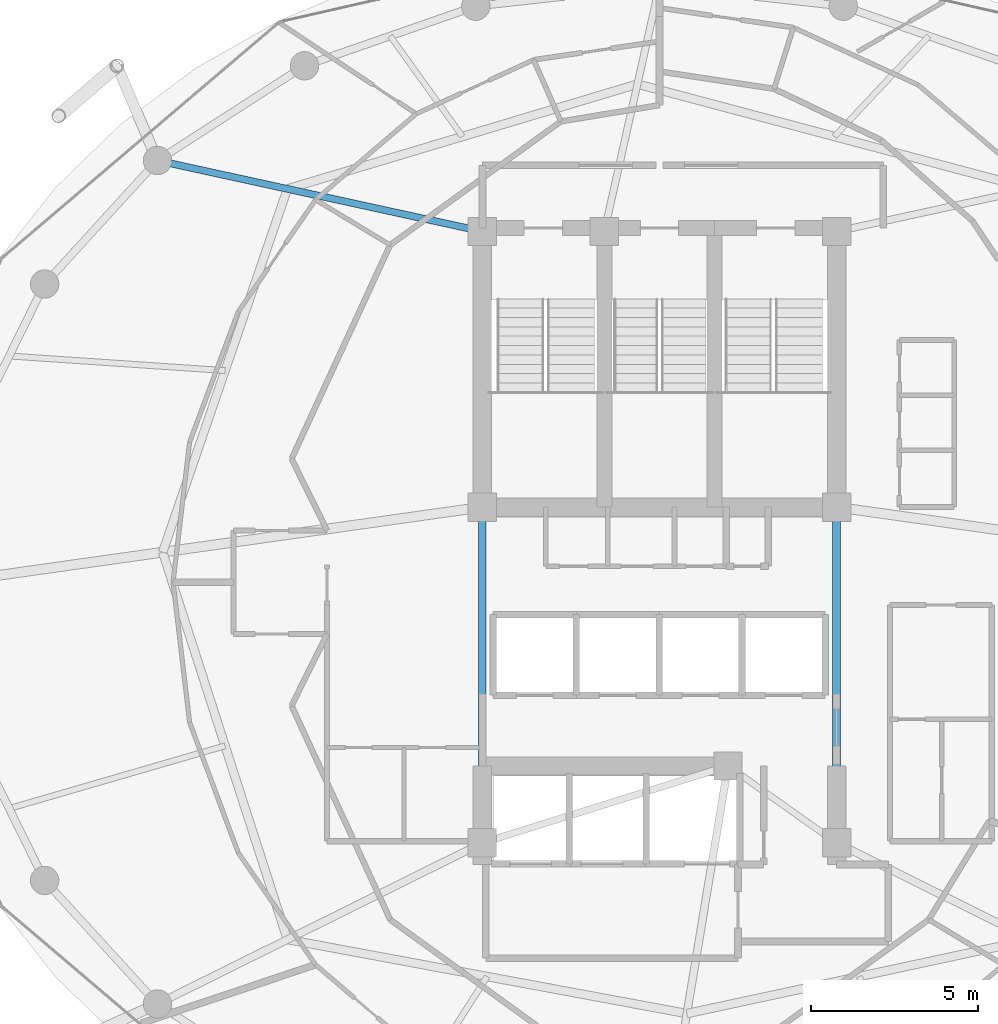
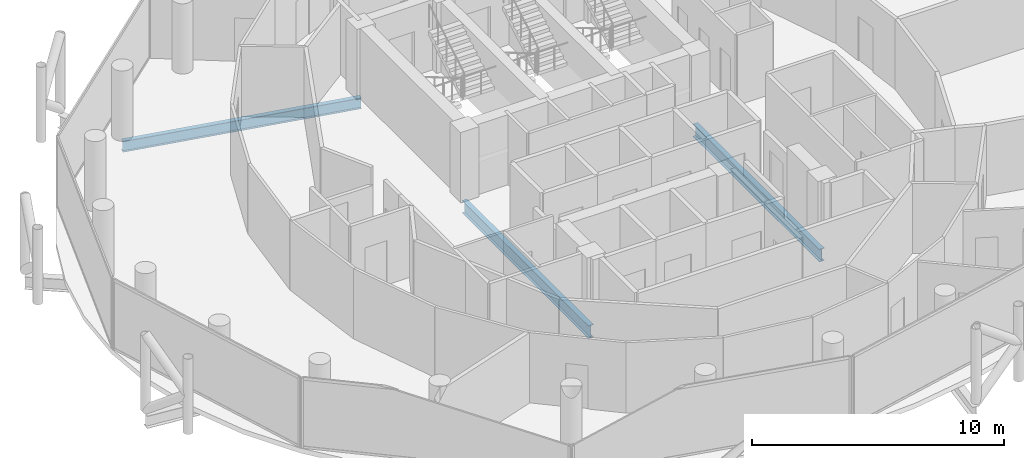
# One storey, part 10 of 27: 3 beams.
"""IFC4 building model written with IfcOpenShell, lengths in metres."""

from ifc_helpers import new_model, si_unit, direction, frame, origin, origin_2d, place, context, subcontext, project, spatial, i_section, extrude, material, material_profile, profile_set, type_object, element, save


model = new_model("IFC4")

# Units and contexts
model_context = context("Model", 3, precision=1e-05, world=origin(), true_north=direction((0.0, 1.0)))
body_context = subcontext(model_context, "Body", "Model", "MODEL_VIEW")
ifc_project = project(units=[si_unit("LENGTHUNIT", "METRE"), si_unit("AREAUNIT", "SQUARE_METRE"), si_unit("VOLUMEUNIT", "CUBIC_METRE"), si_unit("PLANEANGLEUNIT", "RADIAN"), si_unit("MASSUNIT", "GRAM", prefix="KILO")], contexts=[model_context])

# Site, building, storey
site_placement = place(None, origin())
site = spatial("IfcSite", under=ifc_project, at=site_placement, CompositionType="ELEMENT")
building_placement = place(site_placement, origin())
building = spatial("IfcBuilding", under=site, at=building_placement, Name="Nuhasar Tower", CompositionType="ELEMENT")
storey_placement = place(building_placement, frame((0.0, 0.0, 237.35009765625)))
storey = spatial("IfcBuildingStorey", under=building, at=storey_placement, Name="L58", CompositionType="ELEMENT", Elevation=237.35009765625)

# Beams
ifc_material = material(Name="Steel S355", Category="steel")
ifc_material_profile_1 = material_profile(ifc_material, i_section(OverallWidth=0.208984375, OverallDepth=0.528076171875, WebThickness=0.009521484375, FlangeThickness=0.01318359375, at=origin_2d()), Name="W21X55")
ifc_profile_set_1 = profile_set([ifc_material_profile_1], Name="Steel S355")
beam_type_1 = type_object("IfcBeamType", Name="BM-RAD-W21X55", PredefinedType="BEAM", material=ifc_profile_set_1)
beam_placement = place(storey_placement, frame((33.699951171875, 37.300048828125, -0.504150390625), z_axis=(-0.977014275474, 0.213173885644, 0.0), x_axis=(-0.213173885644, -0.977014275474, 0.0)))
element("IfcBeam", 1, at=beam_placement, inside=storey, type_object=beam_type_1, Name="L58 Radial Floor Girder 07", PredefinedType="BEAM", context=body_context, shape_type="SweptSolid", body=[
    extrude(i_section(OverallWidth=0.208984375, OverallDepth=0.528076171875, WebThickness=0.009521484375, FlangeThickness=0.01318359375, at=origin_2d()), origin(), (0.0, 0.0, 1.0), 9.95458984375),
])
ifc_material_profile_2 = material_profile(ifc_material, i_section(OverallWidth=0.22900390625, OverallDepth=0.612060546875, WebThickness=0.011962890625, FlangeThickness=0.01953125, at=origin_2d()), Name="W24X84")
ifc_profile_set_2 = profile_set([ifc_material_profile_2], Name="Steel S355")
beam_type_2 = type_object("IfcBeamType", Name="BM-RAD-W24X84", PredefinedType="BEAM", material=ifc_profile_set_2)
for number, where, z_axis, x_axis, name in (
    (2, (44.300048828125, 19.0, -0.546142578125), (0.0, 1.0, 0.0), (-1.0, 0.0, 0.0), "L58 Core Ring Girder 3"),
    (3, (33.699951171875, 29.050048828125, -0.546142578125), (0.0, -1.0, 0.0), (1.0, 0.0, 0.0), "L58 Core Ring Girder 8"),
):
    element("IfcBeam", number, at=place(storey_placement, frame(where, z_axis=z_axis, x_axis=x_axis)), inside=storey, type_object=beam_type_2, Name=name, PredefinedType="BEAM", context=body_context, shape_type="SweptSolid", body=[
        extrude(i_section(OverallWidth=0.22900390625, OverallDepth=0.612060546875, WebThickness=0.011962890625, FlangeThickness=0.01953125, at=origin_2d()), origin(), (0.0, 0.0, 1.0), 10.050048828125),
    ])

save(model, "model.ifc")
